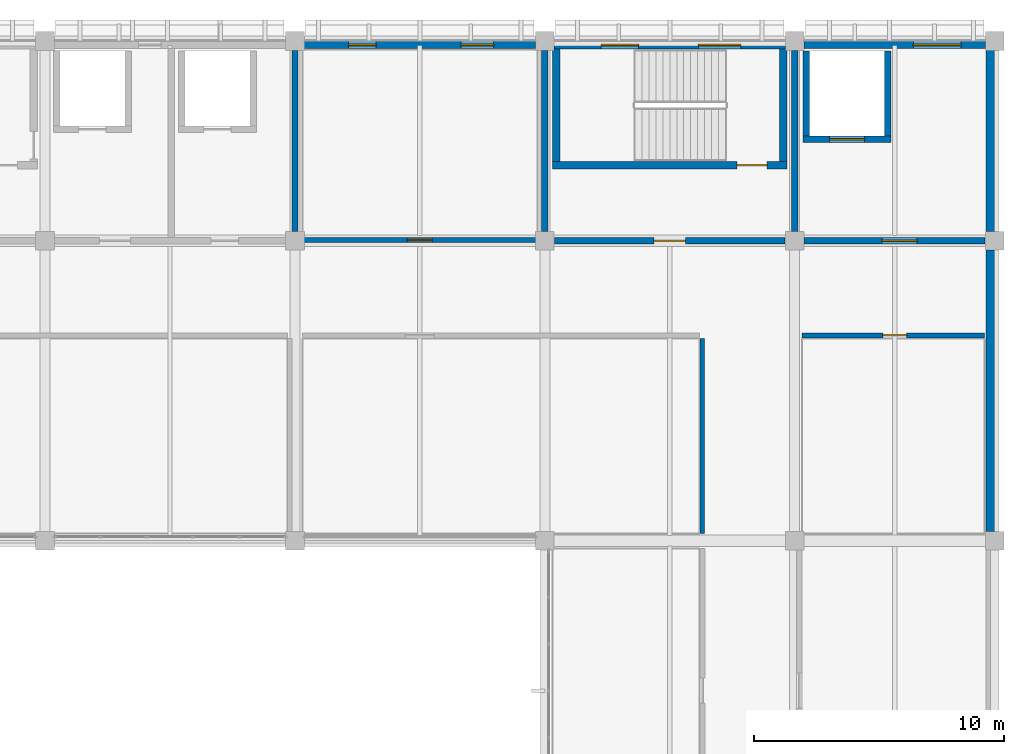
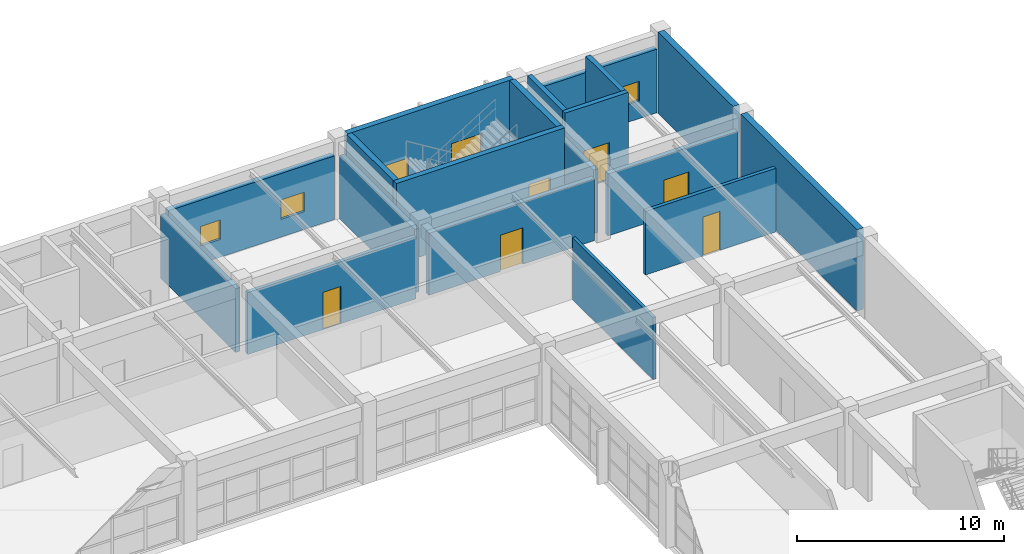
# One storey, part 97 of 109: 19 walls, 6 doors, 5 windows, 11 openings.
"""IFC4 building model written with IfcOpenShell, lengths in metres."""

from ifc_helpers import new_model, si_unit, direction, frame, frame_2d, origin, place, context, subcontext, project, spatial, rectangle, extrude, material, layer, layer_set, type_object, element, fill, save


model = new_model("IFC4")

# Units and contexts
model_context = context("Model", 3, precision=1e-05, world=origin(), true_north=direction((0.0, 1.0)))
body_context = subcontext(model_context, "Body", "Model", "MODEL_VIEW")
ifc_project = project(units=[si_unit("LENGTHUNIT", "METRE"), si_unit("AREAUNIT", "SQUARE_METRE"), si_unit("VOLUMEUNIT", "CUBIC_METRE"), si_unit("PLANEANGLEUNIT", "RADIAN"), si_unit("MASSUNIT", "GRAM", prefix="KILO")], contexts=[model_context])

# Site, building, storey
site_placement = place(None, origin())
site = spatial("IfcSite", under=ifc_project, at=site_placement, CompositionType="ELEMENT")
building_placement = place(site_placement, origin())
building = spatial("IfcBuilding", under=site, at=building_placement, Name="Kivolera Central Railway Station", CompositionType="ELEMENT")
storey_placement = place(building_placement, frame((0.0, 0.0, 9.60009765625)))
storey = spatial("IfcBuildingStorey", under=building, at=storey_placement, Name="L02", CompositionType="ELEMENT", Elevation=9.60009765625)

# Wall, opening, door
ifc_material_1 = material(Name="Swahili coral limestone", Category="masonry")
ifc_layer_1 = layer(ifc_material_1, 0.199951171875, Name="Swahili coral limestone")
ifc_layer_set_1 = layer_set([ifc_layer_1], Name="Swahili coral limestone")
wall_type_1 = type_object("IfcWallType", Name="WL-COR-200", PredefinedType="PARTITIONING", material=ifc_layer_set_1)
wall_1_placement = place(storey_placement, frame((168.300048828125, 126.030029296875, 0.0), z_axis=(0.0, 0.0, 1.0), x_axis=(1.0, 0.0, 0.0)))
wall_1 = element("IfcWall", 1, at=wall_1_placement, inside=storey, type_object=wall_type_1, Name="L02 Station Duty Manager Control Office Corridor Wall", PredefinedType="PARTITIONING", context=body_context, shape_type="SweptSolid", body=[
    extrude(rectangle(XDim=9.39990234375, YDim=0.199951171875, at=frame_2d((4.699951171875, 0.0))), origin(), (0.0, 0.0, 1.0), 3.657958984375),
])
opening_1_placement = place(wall_1_placement, frame((4.199951171875, 0.0, 0.0)))
opening_1 = element("IfcOpeningElement", 2, at=opening_1_placement, cuts=wall_1, Name="Opening D-SG-09", PredefinedType="OPENING", context=body_context, shape_type="SweptSolid", body=[
    extrude(rectangle(XDim=1.0, YDim=2.199951171875, at=frame_2d((0.5, 1.10009765625))), frame((0.0, 0.10986328125, 0.0), z_axis=(0.0, -1.0, 0.0), x_axis=(1.0, 0.0, 0.0)), (0.0, 0.0, 1.0), 0.219970703125),
])
ifc_material_2 = material(Name="Hardwood mvule timber", Category="wood")
door_type_1 = type_object("IfcDoorType", Name="DR-D-SG-09", OperationType="NOTDEFINED", PredefinedType="DOOR", material=ifc_material_2)
door_1_placement = place(opening_1_placement, origin())
door_1 = element("IfcDoor", 3, at=door_1_placement, inside=storey, type_object=door_type_1, Name="L02 Station Duty Manager Control Office Door", OperationType="SINGLE_SWING_LEFT", OverallHeight=2.199951171875, OverallWidth=1.0, PredefinedType="DOOR", context=body_context, shape_type="SweptSolid", body=[
    extrude(rectangle(XDim=1.0, YDim=2.199951171875, at=frame_2d((0.5, 1.10009765625))), frame((0.0, 0.02490234375, 0.0), z_axis=(0.0, -1.0, 0.0), x_axis=(1.0, 0.0, 0.0)), (0.0, 0.0, 1.0), 0.050048828125),
])
fill(opening_1, door_1)

wall_2_placement = place(storey_placement, frame((188.300048828125, 122.219970703125, 0.0), z_axis=(0.0, 0.0, 1.0), x_axis=(1.0, 0.0, 0.0)))
wall_2 = element("IfcWall", 4, at=wall_2_placement, inside=storey, type_object=wall_type_1, Name="L02 Catering Provisioning Office Corridor Wall", PredefinedType="PARTITIONING", context=body_context, shape_type="SweptSolid", body=[
    extrude(rectangle(XDim=7.300048828125, YDim=0.199951171875, at=frame_2d((3.64990234375, 0.0))), origin(), (0.0, 0.0, 1.0), 3.7578125),
])
opening_2_placement = place(wall_2_placement, frame((3.22509765625, 0.0, 0.0)))
opening_2 = element("IfcOpeningElement", 5, at=opening_2_placement, cuts=wall_2, Name="Opening D-SG-13", PredefinedType="OPENING", context=body_context, shape_type="SweptSolid", body=[
    extrude(rectangle(XDim=0.949951171875, YDim=2.300048828125, at=frame_2d((0.47509765625, 1.14990234375))), frame((0.0, 0.10986328125, 0.0), z_axis=(0.0, -1.0, 0.0), x_axis=(1.0, 0.0, 0.0)), (0.0, 0.0, 1.0), 0.219970703125),
])
door_type_2 = type_object("IfcDoorType", Name="DR-D-SG-13", OperationType="NOTDEFINED", PredefinedType="DOOR", material=ifc_material_2)
door_2_placement = place(opening_2_placement, origin())
door_2 = element("IfcDoor", 6, at=door_2_placement, inside=storey, type_object=door_type_2, Name="L02 Catering Provisioning Office Door", OperationType="SINGLE_SWING_RIGHT", OverallHeight=2.300048828125, OverallWidth=0.949951171875, PredefinedType="DOOR", context=body_context, shape_type="SweptSolid", body=[
    extrude(rectangle(XDim=0.949951171875, YDim=2.300048828125, at=frame_2d((0.47509765625, 1.14990234375))), frame((0.0, 0.02490234375, 0.0), z_axis=(0.0, -1.0, 0.0), x_axis=(1.0, 0.0, 0.0)), (0.0, 0.0, 1.0), 0.050048828125),
])
fill(opening_2, door_2)

ifc_material_3 = material(Name="Concrete C40/50", Category="concrete")
ifc_layer_2 = layer(ifc_material_3, 0.300048828125, Name="Concrete C40/50")
ifc_layer_set_2 = layer_set([ifc_layer_2], Name="Concrete C40/50")
wall_type_2 = type_object("IfcWallType", Name="WL-CORE-300", PredefinedType="SHEAR", material=ifc_layer_set_2)
wall_3_placement = place(storey_placement, frame((187.699951171875, 129.030029296875, 0.0), z_axis=(0.0, 0.0, 1.0), x_axis=(-1.0, 0.0, 0.0)))
wall_3 = element("IfcWall", 7, at=wall_3_placement, inside=storey, type_object=wall_type_2, Name="L02 ST3 Core Right Shear Wall", PredefinedType="SHEAR", context=body_context, shape_type="SweptSolid", body=[
    extrude(rectangle(XDim=9.39990234375, YDim=0.300048828125, at=frame_2d((4.699951171875, 0.0))), origin(), (0.0, 0.0, 1.0), 4.7998046875),
])
opening_3_placement = place(wall_3_placement, frame((0.800048828125, 0.0, 0.0)))
opening_3 = element("IfcOpeningElement", 8, at=opening_3_placement, cuts=wall_3, Name="Opening D-STAIR-1200", PredefinedType="OPENING", context=body_context, shape_type="SweptSolid", body=[
    extrude(rectangle(XDim=1.199951171875, YDim=2.14990234375, at=frame_2d((0.60009765625, 1.074951171875))), frame((0.0, 0.159912109375, 0.0), z_axis=(0.0, -1.0, 0.0), x_axis=(1.0, 0.0, 0.0)), (0.0, 0.0, 1.0), 0.320068359375),
])
door_type_3 = type_object("IfcDoorType", Name="DR-D-STAIR-1200", OperationType="NOTDEFINED", PredefinedType="DOOR", material=ifc_material_2)
door_3_placement = place(opening_3_placement, origin())
door_3 = element("IfcDoor", 9, at=door_3_placement, inside=storey, type_object=door_type_3, Name="L02 ST3 Vestibule Fire Door", OperationType="SINGLE_SWING_LEFT", OverallHeight=2.14990234375, OverallWidth=1.199951171875, PredefinedType="DOOR", context=body_context, shape_type="SweptSolid", body=[
    extrude(rectangle(XDim=1.199951171875, YDim=2.14990234375, at=frame_2d((0.60009765625, 1.074951171875))), frame((0.0, 0.02490234375, 0.0), z_axis=(0.0, -1.0, 0.0), x_axis=(1.0, 0.0, 0.0)), (0.0, 0.0, 1.0), 0.050048828125),
])
fill(opening_3, door_3)

# Walls
for number, where, z_axis, x_axis, name in (
    (10, (187.550048828125, 133.679931640625, 0.0), (0.0, 0.0, 1.0), (0.0, -1.0, 0.0), "L02 ST3 Core Near Shear Wall"),
    (11, (178.449951171875, 129.179931640625, 0.0), (0.0, 0.0, 1.0), (0.0, 1.0, 0.0), "L02 ST3 Core Far Shear Wall"),
):
    element("IfcWall", number, at=place(storey_placement, frame(where, z_axis=z_axis, x_axis=x_axis)), inside=storey, type_object=wall_type_2, Name=name, PredefinedType="SHEAR", context=body_context, shape_type="SweptSolid", body=[
        extrude(rectangle(XDim=4.5, YDim=0.300048828125, at=frame_2d((2.25, 0.0))), origin(), (0.0, 0.0, 1.0), 4.7998046875),
    ])

# Wall, openings, windows
ifc_layer_3 = layer(ifc_material_3, 0.320068359375, Name="Concrete C40/50")
ifc_layer_set_3 = layer_set([ifc_layer_3], Name="Concrete C40/50")
wall_type_3 = type_object("IfcWallType", Name="WL-CORE-EXT-320", PredefinedType="SHEAR", material=ifc_layer_set_3)
wall_4_placement = place(storey_placement, frame((178.3701171875, 133.840087890625, 0.0), z_axis=(0.0, 0.0, 1.0), x_axis=(1.0, 0.0, 0.0)))
wall_4 = element("IfcWall", 12, at=wall_4_placement, inside=storey, type_object=wall_type_3, Name="L02 North Street Facade Wall Bay 7", PredefinedType="SHEAR", context=body_context, shape_type="SweptSolid", body=[
    extrude(rectangle(XDim=9.259765625, YDim=0.320068359375, at=frame_2d((4.6298828125, 0.0))), origin(), (0.0, 0.0, 1.0), 4.7998046875),
])
opening_4_placement = place(wall_4_placement, frame((1.8798828125, 0.0, 1.050048828125)))
opening_4 = element("IfcOpeningElement", 13, at=opening_4_placement, cuts=wall_4, Name="Opening WN-04", PredefinedType="OPENING", context=body_context, shape_type="SweptSolid", body=[
    extrude(rectangle(XDim=1.5, YDim=1.14990234375, at=frame_2d((0.75, 0.574951171875))), frame((0.0, 0.169921875, 0.0), z_axis=(0.0, -1.0, 0.0), x_axis=(1.0, 0.0, 0.0)), (0.0, 0.0, 1.0), 0.340087890625),
])
opening_5_placement = place(wall_4_placement, frame((5.780029296875, 0.0, 1.050048828125)))
opening_5 = element("IfcOpeningElement", 14, at=opening_5_placement, cuts=wall_4, Name="Opening WN-05", PredefinedType="OPENING", context=body_context, shape_type="SweptSolid", body=[
    extrude(rectangle(XDim=1.699951171875, YDim=1.14990234375, at=frame_2d((0.85009765625, 0.574951171875))), frame((0.0, 0.169921875, 0.0), z_axis=(0.0, -1.0, 0.0), x_axis=(1.0, 0.0, 0.0)), (0.0, 0.0, 1.0), 0.340087890625),
])
ifc_material_4 = material(Name="Double low-E laminated glass", Category="glass")
window_type_1 = type_object("IfcWindowType", Name="WIN-WN-04", PartitioningType="SINGLE_PANEL", PredefinedType="WINDOW", material=ifc_material_4)
window_1_placement = place(opening_4_placement, origin())
window_1 = element("IfcWindow", 15, at=window_1_placement, inside=storey, type_object=window_type_1, Name="L02 North Street Window Bay 7.1", OverallHeight=1.14990234375, OverallWidth=1.5, PartitioningType="SINGLE_PANEL", PredefinedType="WINDOW", context=body_context, shape_type="SweptSolid", body=[
    extrude(rectangle(XDim=1.5, YDim=1.14990234375, at=frame_2d((0.75, 0.574951171875))), frame((0.0, 0.030029296875, 0.0), z_axis=(0.0, -1.0, 0.0), x_axis=(1.0, 0.0, 0.0)), (0.0, 0.0, 1.0), 0.06005859375),
])
fill(opening_4, window_1)
window_type_2 = type_object("IfcWindowType", Name="WIN-WN-05", PartitioningType="SINGLE_PANEL", PredefinedType="WINDOW", material=ifc_material_4)
window_2_placement = place(opening_5_placement, origin())
window_2 = element("IfcWindow", 16, at=window_2_placement, inside=storey, type_object=window_type_2, Name="L02 North Street Window Bay 7.2", OverallHeight=1.14990234375, OverallWidth=1.699951171875, PartitioningType="SINGLE_PANEL", PredefinedType="WINDOW", context=body_context, shape_type="SweptSolid", body=[
    extrude(rectangle(XDim=1.699951171875, YDim=1.14990234375, at=frame_2d((0.85009765625, 0.574951171875))), frame((0.0, 0.030029296875, 0.0), z_axis=(0.0, -1.0, 0.0), x_axis=(1.0, 0.0, 0.0)), (0.0, 0.0, 1.0), 0.06005859375),
])
fill(opening_5, window_2)

ifc_layer_4 = layer(ifc_material_1, 0.304931640625, Name="Swahili coral limestone")
ifc_layer_set_4 = layer_set([ifc_layer_4], Name="Swahili coral limestone")
wall_type_4 = type_object("IfcWallType", Name="WL-EXT-CORAL-305", PredefinedType="SOLIDWALL", material=ifc_layer_set_4)
wall_5_placement = place(storey_placement, frame((168.3701171875, 133.846923828125, 0.0), z_axis=(0.0, 0.0, 1.0), x_axis=(1.0, 0.0, 0.0)))
wall_5 = element("IfcWall", 17, at=wall_5_placement, inside=storey, type_object=wall_type_4, Name="L02 North Street Facade Wall Bay 6", PredefinedType="SOLIDWALL", context=body_context, shape_type="SweptSolid", body=[
    extrude(rectangle(XDim=9.259765625, YDim=0.304931640625, at=frame_2d((4.6298828125, 0.0))), origin(), (0.0, 0.0, 1.0), 3.7578125),
])
opening_6_placement = place(wall_5_placement, frame((1.780029296875, 0.0, 1.050048828125)))
opening_6 = element("IfcOpeningElement", 18, at=opening_6_placement, cuts=wall_5, Name="Opening WN-02", PredefinedType="OPENING", context=body_context, shape_type="SweptSolid", body=[
    extrude(rectangle(XDim=1.10009765625, YDim=1.14990234375, at=frame_2d((0.550048828125, 0.574951171875))), frame((0.0, 0.162353515625, 0.0), z_axis=(0.0, -1.0, 0.0), x_axis=(1.0, 0.0, 0.0)), (0.0, 0.0, 1.0), 0.324951171875),
])
opening_7_placement = place(wall_5_placement, frame((6.280029296875, 0.0, 1.050048828125)))
opening_7 = element("IfcOpeningElement", 19, at=opening_7_placement, cuts=wall_5, Name="Opening WN-03", PredefinedType="OPENING", context=body_context, shape_type="SweptSolid", body=[
    extrude(rectangle(XDim=1.300048828125, YDim=1.14990234375, at=frame_2d((0.64990234375, 0.574951171875))), frame((0.0, 0.162353515625, 0.0), z_axis=(0.0, -1.0, 0.0), x_axis=(1.0, 0.0, 0.0)), (0.0, 0.0, 1.0), 0.324951171875),
])
window_type_3 = type_object("IfcWindowType", Name="WIN-WN-02", PartitioningType="SINGLE_PANEL", PredefinedType="WINDOW", material=ifc_material_4)
window_3_placement = place(opening_6_placement, origin())
window_3 = element("IfcWindow", 20, at=window_3_placement, inside=storey, type_object=window_type_3, Name="L02 North Street Window Bay 6.1", OverallHeight=1.14990234375, OverallWidth=1.10009765625, PartitioningType="SINGLE_PANEL", PredefinedType="WINDOW", context=body_context, shape_type="SweptSolid", body=[
    extrude(rectangle(XDim=1.10009765625, YDim=1.14990234375, at=frame_2d((0.550048828125, 0.574951171875))), frame((0.0, 0.030029296875, 0.0), z_axis=(0.0, -1.0, 0.0), x_axis=(1.0, 0.0, 0.0)), (0.0, 0.0, 1.0), 0.06005859375),
])
fill(opening_6, window_3)
window_type_4 = type_object("IfcWindowType", Name="WIN-WN-03", PartitioningType="SINGLE_PANEL", PredefinedType="WINDOW", material=ifc_material_4)
window_4_placement = place(opening_7_placement, origin())
window_4 = element("IfcWindow", 21, at=window_4_placement, inside=storey, type_object=window_type_4, Name="L02 North Street Window Bay 6.2", OverallHeight=1.14990234375, OverallWidth=1.300048828125, PartitioningType="SINGLE_PANEL", PredefinedType="WINDOW", context=body_context, shape_type="SweptSolid", body=[
    extrude(rectangle(XDim=1.300048828125, YDim=1.14990234375, at=frame_2d((0.64990234375, 0.574951171875))), frame((0.0, 0.030029296875, 0.0), z_axis=(0.0, -1.0, 0.0), x_axis=(1.0, 0.0, 0.0)), (0.0, 0.0, 1.0), 0.06005859375),
])
fill(opening_7, window_4)

# Wall, opening, window
wall_6_placement = place(storey_placement, frame((188.3701171875, 133.846923828125, 0.0), z_axis=(0.0, 0.0, 1.0), x_axis=(1.0, 0.0, 0.0)))
wall_6 = element("IfcWall", 22, at=wall_6_placement, inside=storey, type_object=wall_type_4, Name="L02 North Street Facade Wall Bay 8", PredefinedType="SOLIDWALL", context=body_context, shape_type="SweptSolid", body=[
    extrude(rectangle(XDim=7.259765625, YDim=0.304931640625, at=frame_2d((3.6298828125, 0.0))), origin(), (0.0, 0.0, 1.0), 3.7578125),
])
opening_8_placement = place(wall_6_placement, frame((4.3798828125, 0.0, 1.050048828125)))
opening_8 = element("IfcOpeningElement", 23, at=opening_8_placement, cuts=wall_6, Name="Opening WN-06", PredefinedType="OPENING", context=body_context, shape_type="SweptSolid", body=[
    extrude(rectangle(XDim=1.89990234375, YDim=1.14990234375, at=frame_2d((0.949951171875, 0.574951171875))), frame((0.0, 0.162353515625, 0.0), z_axis=(0.0, -1.0, 0.0), x_axis=(1.0, 0.0, 0.0)), (0.0, 0.0, 1.0), 0.324951171875),
])
window_type_5 = type_object("IfcWindowType", Name="WIN-WN-06", PartitioningType="SINGLE_PANEL", PredefinedType="WINDOW", material=ifc_material_4)
window_5_placement = place(opening_8_placement, origin())
window_5 = element("IfcWindow", 24, at=window_5_placement, inside=storey, type_object=window_type_5, Name="L02 North Street Window Bay 8.1", OverallHeight=1.14990234375, OverallWidth=1.89990234375, PartitioningType="SINGLE_PANEL", PredefinedType="WINDOW", context=body_context, shape_type="SweptSolid", body=[
    extrude(rectangle(XDim=1.89990234375, YDim=1.14990234375, at=frame_2d((0.949951171875, 0.574951171875))), frame((0.0, 0.030029296875, 0.0), z_axis=(0.0, -1.0, 0.0), x_axis=(1.0, 0.0, 0.0)), (0.0, 0.0, 1.0), 0.06005859375),
])
fill(opening_8, window_5)

# Wall, opening, door
ifc_layer_5 = layer(ifc_material_3, 0.25, Name="Concrete C40/50")
ifc_layer_set_5 = layer_set([ifc_layer_5], Name="Concrete C40/50")
wall_type_5 = type_object("IfcWallType", Name="WL-FFL-250", PredefinedType="PARTITIONING", material=ifc_layer_set_5)
wall_7_placement = place(storey_placement, frame((178.3798828125, 126.0, 0.0), z_axis=(0.0, 0.0, 1.0), x_axis=(1.0, 0.0, 0.0)))
wall_7 = element("IfcWall", 25, at=wall_7_placement, inside=storey, type_object=wall_type_5, Name="L02 North Core Corridor Wall 178", PredefinedType="PARTITIONING", context=body_context, shape_type="SweptSolid", body=[
    extrude(rectangle(XDim=9.240234375, YDim=0.25, at=frame_2d((4.6201171875, 0.0))), origin(), (0.0, 0.0, 1.0), 3.657958984375),
])
opening_9_placement = place(wall_7_placement, frame((3.9951171875, 0.0, 0.0)))
opening_9 = element("IfcOpeningElement", 26, at=opening_9_placement, cuts=wall_7, Name="Opening D-FFL-1250", PredefinedType="OPENING", context=body_context, shape_type="SweptSolid", body=[
    extrude(rectangle(XDim=1.25, YDim=2.14990234375, at=frame_2d((0.625, 1.074951171875))), frame((0.0, 0.135009765625, 0.0), z_axis=(0.0, -1.0, 0.0), x_axis=(1.0, 0.0, 0.0)), (0.0, 0.0, 1.0), 0.27001953125),
])
door_type_4 = type_object("IfcDoorType", Name="DR-D-FFL-1250", OperationType="NOTDEFINED", PredefinedType="DOOR", material=ifc_material_2)
door_4_placement = place(opening_9_placement, origin())
door_4 = element("IfcDoor", 27, at=door_4_placement, inside=storey, type_object=door_type_4, Name="L02 ST3 Vestibule Corridor Door", OperationType="SINGLE_SWING_LEFT", OverallHeight=2.14990234375, OverallWidth=1.25, PredefinedType="DOOR", context=body_context, shape_type="SweptSolid", body=[
    extrude(rectangle(XDim=1.25, YDim=2.14990234375, at=frame_2d((0.625, 1.074951171875))), frame((0.0, 0.02490234375, 0.0), z_axis=(0.0, -1.0, 0.0), x_axis=(1.0, 0.0, 0.0)), (0.0, 0.0, 1.0), 0.050048828125),
])
fill(opening_9, door_4)

wall_8_placement = place(storey_placement, frame((188.3798828125, 126.0, 0.0), z_axis=(0.0, 0.0, 1.0), x_axis=(1.0, 0.0, 0.0)))
wall_8 = element("IfcWall", 28, at=wall_8_placement, inside=storey, type_object=wall_type_5, Name="L02 North Core Corridor Wall 188", PredefinedType="PARTITIONING", context=body_context, shape_type="SweptSolid", body=[
    extrude(rectangle(XDim=7.240234375, YDim=0.25, at=frame_2d((3.6201171875, 0.0))), origin(), (0.0, 0.0, 1.0), 3.657958984375),
])
opening_10_placement = place(wall_8_placement, frame((3.1201171875, 0.0, 0.0)))
opening_10 = element("IfcOpeningElement", 29, at=opening_10_placement, cuts=wall_8, Name="Opening D-PLT-1400", PredefinedType="OPENING", context=body_context, shape_type="SweptSolid", body=[
    extrude(rectangle(XDim=1.39990234375, YDim=2.199951171875, at=frame_2d((0.699951171875, 1.10009765625))), frame((0.0, 0.135009765625, 0.0), z_axis=(0.0, -1.0, 0.0), x_axis=(1.0, 0.0, 0.0)), (0.0, 0.0, 1.0), 0.27001953125),
])
ifc_material_5 = material(Name="Anodised aluminium", Category="aluminium")
door_type_5 = type_object("IfcDoorType", Name="DR-D-PLT-1400", OperationType="NOTDEFINED", PredefinedType="DOOR", material=ifc_material_5)
door_5_placement = place(opening_10_placement, origin())
door_5 = element("IfcDoor", 30, at=door_5_placement, inside=storey, type_object=door_type_5, Name="L02 GL1 Goods Lift Lobby Door", OperationType="SINGLE_SWING_RIGHT", OverallHeight=2.199951171875, OverallWidth=1.39990234375, PredefinedType="DOOR", context=body_context, shape_type="SweptSolid", body=[
    extrude(rectangle(XDim=1.39990234375, YDim=2.199951171875, at=frame_2d((0.699951171875, 1.10009765625))), frame((0.0, 0.02490234375, 0.0), z_axis=(0.0, -1.0, 0.0), x_axis=(1.0, 0.0, 0.0)), (0.0, 0.0, 1.0), 0.050048828125),
])
fill(opening_10, door_5)

# Walls
for number, where, z_axis, x_axis, name in (
    (31, (168.0, 126.3798828125, 0.0), (0.0, 0.0, 1.0), (0.0, 1.0, 0.0), "L02 North Core Partition GRID-168"),
    (32, (178.0, 126.3798828125, 0.0), (0.0, 0.0, 1.0), (0.0, 1.0, 0.0), "L02 North Core Partition GRID-178"),
    (33, (188.0, 126.3798828125, 0.0), (0.0, 0.0, 1.0), (0.0, 1.0, 0.0), "L02 North Core Partition GRID-188"),
):
    element("IfcWall", number, at=place(storey_placement, frame(where, z_axis=z_axis, x_axis=x_axis)), inside=storey, type_object=wall_type_5, Name=name, PredefinedType="PARTITIONING", context=body_context, shape_type="SweptSolid", body=[
        extrude(rectangle(XDim=7.240234375, YDim=0.25, at=frame_2d((3.6201171875, 0.0))), origin(), (0.0, 0.0, 1.0), 3.7578125),
    ])
ifc_layer_6 = layer(ifc_material_3, 0.35009765625, Name="Concrete C40/50")
ifc_layer_set_6 = layer_set([ifc_layer_6], Name="Concrete C40/50")
wall_type_6 = type_object("IfcWallType", Name="WL-PARTY-350", PredefinedType="SOLIDWALL", material=ifc_layer_set_6)
wall_9_placement = place(storey_placement, frame((195.824951171875, 125.6298828125, 0.0), z_axis=(0.0, 0.0, 1.0), x_axis=(0.0, -1.0, 0.0)))
element("IfcWall", 34, at=wall_9_placement, inside=storey, type_object=wall_type_6, Name="L02 East Infill EI 120 Party Wall 114-126", PredefinedType="SOLIDWALL", context=body_context, shape_type="SweptSolid", body=[
    extrude(rectangle(XDim=11.259765625, YDim=0.35009765625, at=frame_2d((5.6298828125, 0.0))), origin(), (0.0, 0.0, 1.0), 4.7998046875),
])
wall_10_placement = place(storey_placement, frame((195.824951171875, 133.6298828125, 0.0), z_axis=(0.0, 0.0, 1.0), x_axis=(0.0, -1.0, 0.0)))
element("IfcWall", 35, at=wall_10_placement, inside=storey, type_object=wall_type_6, Name="L02 East Infill EI 120 Party Wall 126-134", PredefinedType="SOLIDWALL", context=body_context, shape_type="SweptSolid", body=[
    extrude(rectangle(XDim=7.259765625, YDim=0.35009765625, at=frame_2d((3.6298828125, 0.0))), origin(), (0.0, 0.0, 1.0), 4.7998046875),
])
ifc_material_6 = material(Name="Gypsum plasterboard steel-stud partition")
ifc_layer_7 = layer(ifc_material_6, 0.1650390625, Name="Gypsum plasterboard steel-stud partition")
ifc_layer_set_7 = layer_set([ifc_layer_7], Name="Gypsum plasterboard steel-stud partition")
wall_type_7 = type_object("IfcWallType", Name="WL-PRT-165", PredefinedType="PARTITIONING", material=ifc_layer_set_7)
wall_11_placement = place(storey_placement, frame((184.300048828125, 114.300048828125, 0.0), z_axis=(0.0, 0.0, 1.0), x_axis=(0.0, 1.0, 0.0)))
element("IfcWall", 36, at=wall_11_placement, inside=storey, type_object=wall_type_7, Name="L02 Dar Roastery Espresso Cafe Partition Wall", PredefinedType="PARTITIONING", context=body_context, shape_type="SweptSolid", body=[
    extrude(rectangle(XDim=7.800048828125, YDim=0.1650390625, at=frame_2d((3.89990234375, 0.0))), origin(), (0.0, 0.0, 1.0), 3.657958984375),
])

# Wall, opening, door
ifc_layer_8 = layer(ifc_material_3, 0.260009765625, Name="Concrete C40/50")
ifc_layer_set_8 = layer_set([ifc_layer_8], Name="Concrete C40/50")
wall_type_8 = type_object("IfcWallType", Name="WL-SHAFT-260", PredefinedType="SHEAR", material=ifc_layer_set_8)
wall_12_placement = place(storey_placement, frame((188.340087890625, 130.070068359375, 0.0), z_axis=(0.0, 0.0, 1.0), x_axis=(1.0, 0.0, 0.0)))
wall_12 = element("IfcWall", 37, at=wall_12_placement, inside=storey, type_object=wall_type_8, Name="L02 Lift GL1 Front Shaft Wall", PredefinedType="SHEAR", context=body_context, shape_type="SweptSolid", body=[
    extrude(rectangle(XDim=3.52001953125, YDim=0.260009765625, at=frame_2d((1.760009765625, 0.0))), origin(), (0.0, 0.0, 1.0), 4.7998046875),
])
opening_11_placement = place(wall_12_placement, frame((1.06005859375, 0.0, 0.0)))
opening_11 = element("IfcOpeningElement", 38, at=opening_11_placement, cuts=wall_12, Name="Opening LD-GDS-1400", PredefinedType="OPENING", context=body_context, shape_type="SweptSolid", body=[
    extrude(rectangle(XDim=1.39990234375, YDim=2.199951171875, at=frame_2d((0.699951171875, 1.10009765625))), frame((0.0, 0.139892578125, 0.0), z_axis=(0.0, -1.0, 0.0), x_axis=(1.0, 0.0, 0.0)), (0.0, 0.0, 1.0), 0.280029296875),
])
door_type_6 = type_object("IfcDoorType", Name="DR-LD-GDS-1400", OperationType="NOTDEFINED", PredefinedType="DOOR", material=ifc_material_5)
door_6_placement = place(opening_11_placement, origin())
door_6 = element("IfcDoor", 39, at=door_6_placement, inside=storey, type_object=door_type_6, Name="L02 Lift GL1 Sliding Landing Door", OperationType="SLIDING_TO_LEFT", OverallHeight=2.199951171875, OverallWidth=1.39990234375, PredefinedType="DOOR", context=body_context, shape_type="SweptSolid", body=[
    extrude(rectangle(XDim=1.39990234375, YDim=2.199951171875, at=frame_2d((0.699951171875, 1.10009765625))), frame((0.0, 0.02490234375, 0.0), z_axis=(0.0, -1.0, 0.0), x_axis=(1.0, 0.0, 0.0)), (0.0, 0.0, 1.0), 0.050048828125),
])
fill(opening_11, door_6)

# Walls
for number, where, z_axis, x_axis, name in (
    (40, (188.469970703125, 130.199951171875, 0.0), (0.0, 0.0, 1.0), (0.0, 1.0, 0.0), "L02 Lift GL1 West Shaft Wall"),
    (41, (191.72998046875, 130.199951171875, 0.0), (0.0, 0.0, 1.0), (0.0, 1.0, 0.0), "L02 Lift GL1 East Shaft Wall"),
):
    element("IfcWall", number, at=place(storey_placement, frame(where, z_axis=z_axis, x_axis=x_axis)), inside=storey, type_object=wall_type_8, Name=name, PredefinedType="SHEAR", context=body_context, shape_type="SweptSolid", body=[
        extrude(rectangle(XDim=3.400146484375, YDim=0.260009765625, at=frame_2d((1.7001953125, 0.0))), origin(), (0.0, 0.0, 1.0), 4.7998046875),
    ])

save(model, "model.ifc")
